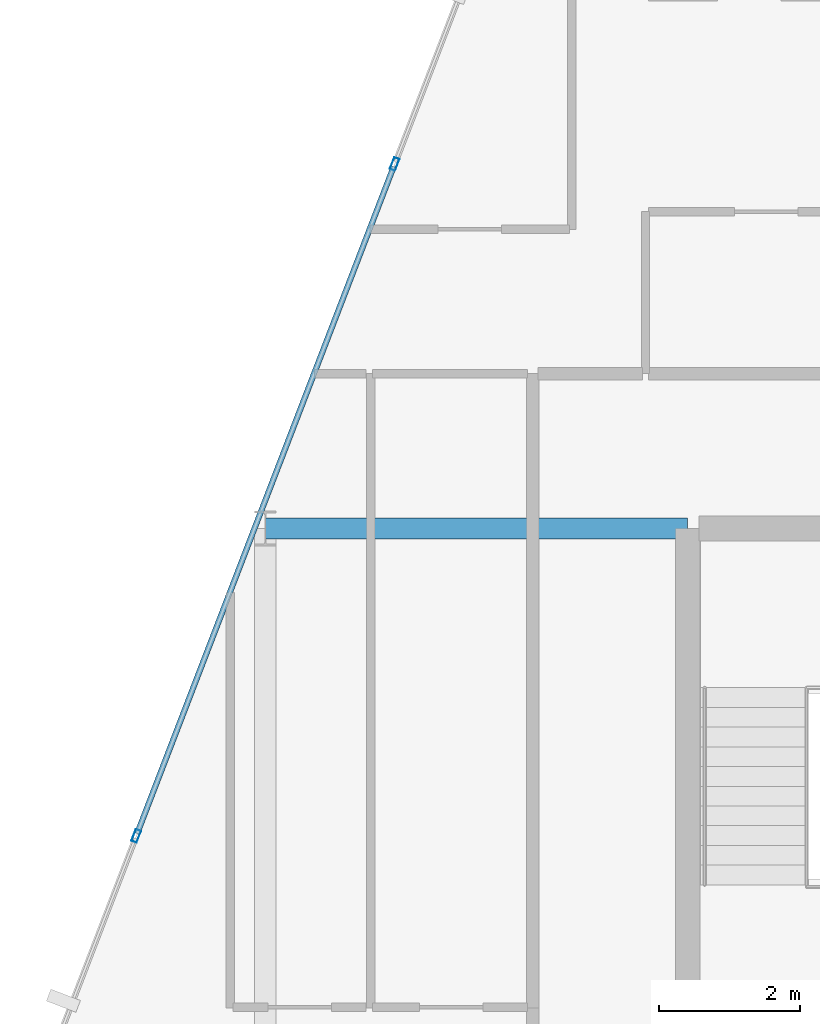
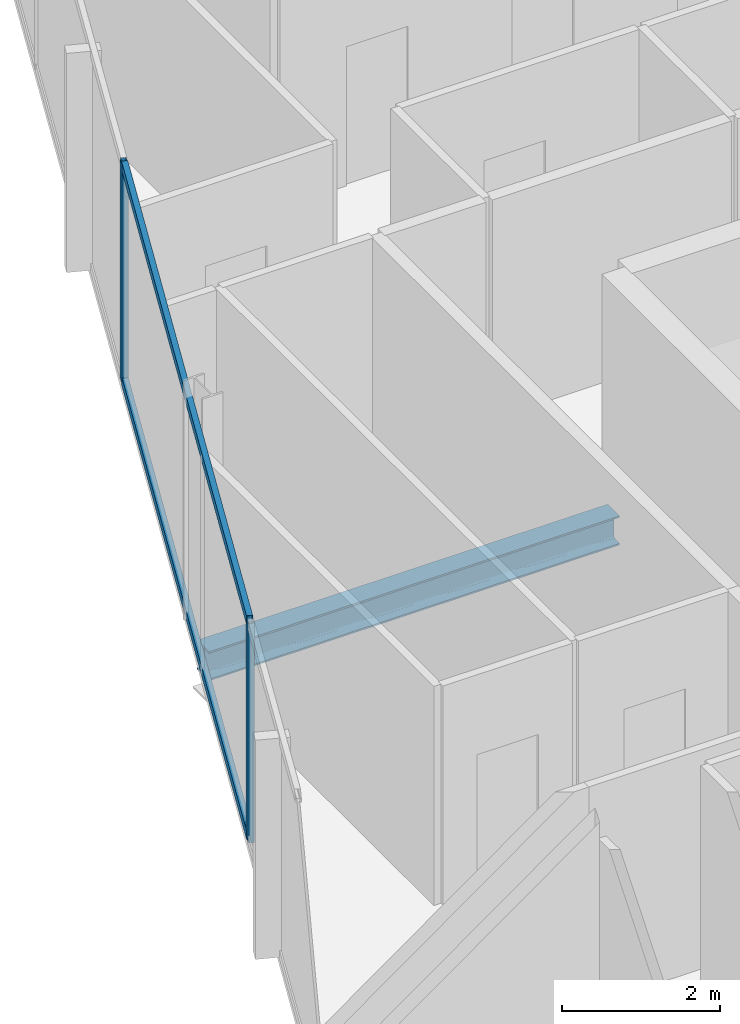
# One storey, part 15 of 31: 4 members, 1 beam, 1 element without a shape of its own.
"""IFC4 building model written with IfcOpenShell, lengths in metres."""

from ifc_helpers import new_model, si_unit, direction, frame, origin, origin_2d, place, context, subcontext, project, spatial, hollow_rectangle, i_section, extrude, material, layer, layer_set, material_profile, profile_set, type_object, element, aggregate, save


model = new_model("IFC4")

# Units and contexts
model_context = context("Model", 3, precision=1e-05, world=origin(), true_north=direction((0.0, 1.0)))
body_context = subcontext(model_context, "Body", "Model", "MODEL_VIEW")
ifc_project = project(units=[si_unit("LENGTHUNIT", "METRE"), si_unit("AREAUNIT", "SQUARE_METRE"), si_unit("VOLUMEUNIT", "CUBIC_METRE"), si_unit("PLANEANGLEUNIT", "RADIAN"), si_unit("MASSUNIT", "GRAM", prefix="KILO")], contexts=[model_context])

# Site, building, storey
site_placement = place(None, origin())
site = spatial("IfcSite", under=ifc_project, at=site_placement, CompositionType="ELEMENT")
building_placement = place(site_placement, origin())
building = spatial("IfcBuilding", under=site, at=building_placement, Name="Keshet Zoharim Tower", CompositionType="ELEMENT")
storey_placement = place(building_placement, frame((0.0, 0.0, 148.300048828125)))
storey = spatial("IfcBuildingStorey", under=building, at=storey_placement, Name="L36", CompositionType="ELEMENT", Elevation=148.300048828125)

# Beam
ifc_material_1 = material(Name="Steel S355", Category="steel")
ifc_material_profile_1 = material_profile(ifc_material_1, i_section(OverallWidth=0.300048828125, OverallDepth=0.449951171875, WebThickness=0.013916015625, FlangeThickness=0.02587890625, FilletRadius=0.027099609375, at=origin_2d()), Name="HEB450")
ifc_profile_set_1 = profile_set([ifc_material_profile_1], Name="Steel S355")
beam_type = type_object("IfcBeamType", Name="BM-WEB-HB450", PredefinedType="BEAM", material=ifc_profile_set_1)
beam_placement = place(storey_placement, frame((9.0, 37.89990234375, -0.5400390625), z_axis=(1.0, 0.0, 0.0), x_axis=(0.0, 1.0, 0.0)))
element("IfcBeam", 1, at=beam_placement, inside=storey, type_object=beam_type, Name="L36 Primary Girder X-018", PredefinedType="BEAM", context=body_context, shape_type="SweptSolid", body=[
    extrude(i_section(OverallWidth=0.300048828125, OverallDepth=0.449951171875, WebThickness=0.013916015625, FlangeThickness=0.02587890625, FilletRadius=0.027099609375, at=origin_2d()), origin(), (0.0, 0.0, 1.0), 6.0),
])

# Curtain wall, members
ifc_material_2 = material(Name="Aluminium 6063-T6", Category="aluminium")
ifc_layer = layer(ifc_material_2, 0.159912109375)
ifc_layer_set = layer_set([ifc_layer], Name="Aluminium 6063-T6")
curtain_wall_type = type_object("IfcCurtainWallType", Name="CW-SYS-03", PredefinedType="NOTDEFINED", material=ifc_layer_set)
curtain_wall_placement = place(storey_placement, origin())
curtain_wall = element("IfcCurtainWall", 2, at=curtain_wall_placement, inside=storey, type_object=curtain_wall_type, Name="L36 Unitised Curtain Wall 10", PredefinedType="NOTDEFINED")
ifc_material_profile_2 = material_profile(ifc_material_2, hollow_rectangle(XDim=0.080078125, YDim=0.179931640625, WallThickness=0.00439453125, at=origin_2d()), Name="MUL-80x180")
ifc_profile_set_2 = profile_set([ifc_material_profile_2], Name="Aluminium 6063-T6")
member_type_1 = type_object("IfcMemberType", Name="CWM-M18", PredefinedType="MULLION", material=ifc_profile_set_2)
member_1_placement = place(storey_placement, frame((7.1669921875, 33.53466796875, 0.0), z_axis=(0.0, 0.0, 1.0), x_axis=(-0.933341404361, 0.358990003907, 0.0)))
member_1 = element("IfcMember", 3, at=member_1_placement, type_object=member_type_1, Name="CW-03 mullion 2", PredefinedType="MULLION", context=body_context, shape_type="SweptSolid", body=[
    extrude(hollow_rectangle(XDim=0.080078125, YDim=0.179931640625, WallThickness=0.00439453125, at=origin_2d()), origin(), (0.0, 0.0, 1.0), 3.385009765625),
])
member_2_placement = place(storey_placement, frame((10.8369140625, 43.076416015625, 0.0), z_axis=(0.0, 0.0, 1.0), x_axis=(-0.933341404361, 0.358990003907, 0.0)))
member_2 = element("IfcMember", 4, at=member_2_placement, type_object=member_type_1, Name="CW-03 mullion 3", PredefinedType="MULLION", context=body_context, shape_type="SweptSolid", body=[
    extrude(hollow_rectangle(XDim=0.080078125, YDim=0.179931640625, WallThickness=0.00439453125, at=origin_2d()), origin(), (0.0, 0.0, 1.0), 3.385009765625),
])
ifc_material_profile_3 = material_profile(ifc_material_2, hollow_rectangle(XDim=0.080078125, YDim=0.139892578125, WallThickness=0.00390625, at=origin_2d()), Name="TRN-80x140")
ifc_profile_set_3 = profile_set([ifc_material_profile_3], Name="Aluminium 6063-T6")
member_type_2 = type_object("IfcMemberType", Name="CWT-T14", PredefinedType="USERDEFINED", material=ifc_profile_set_3)
member_3_placement = place(storey_placement, frame((7.179443359375, 33.5673828125, 0.034912109375), z_axis=(0.359003248899, 0.933336309848, 0.0), x_axis=(-0.933336309848, 0.359003248899, 0.0)))
member_3 = element("IfcMember", 5, at=member_3_placement, type_object=member_type_2, Name="CW-03 transom 2.1", ObjectType="TRANSOM", PredefinedType="USERDEFINED", context=body_context, shape_type="SweptSolid", body=[
    extrude(hollow_rectangle(XDim=0.080078125, YDim=0.139892578125, WallThickness=0.00390625, at=origin_2d()), origin(), (0.0, 0.0, 1.0), 10.153076171875),
])
member_4_placement = place(storey_placement, frame((7.179443359375, 33.5673828125, 3.349853515625), z_axis=(0.359003248899, 0.933336309848, 0.0), x_axis=(-0.933336309848, 0.359003248899, 0.0)))
member_4 = element("IfcMember", 6, at=member_4_placement, type_object=member_type_2, Name="CW-03 transom 2.2", ObjectType="TRANSOM", PredefinedType="USERDEFINED", context=body_context, shape_type="SweptSolid", body=[
    extrude(hollow_rectangle(XDim=0.080078125, YDim=0.139892578125, WallThickness=0.00390625, at=origin_2d()), origin(), (0.0, 0.0, 1.0), 10.153076171875),
])
aggregate(curtain_wall, [member_1, member_2, member_3, member_4])

save(model, "model.ifc")
